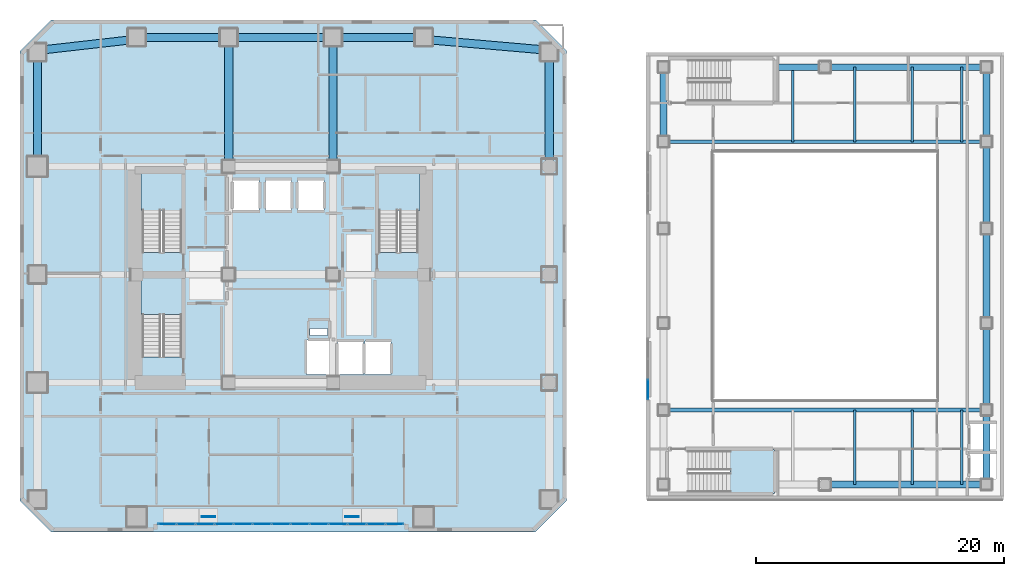
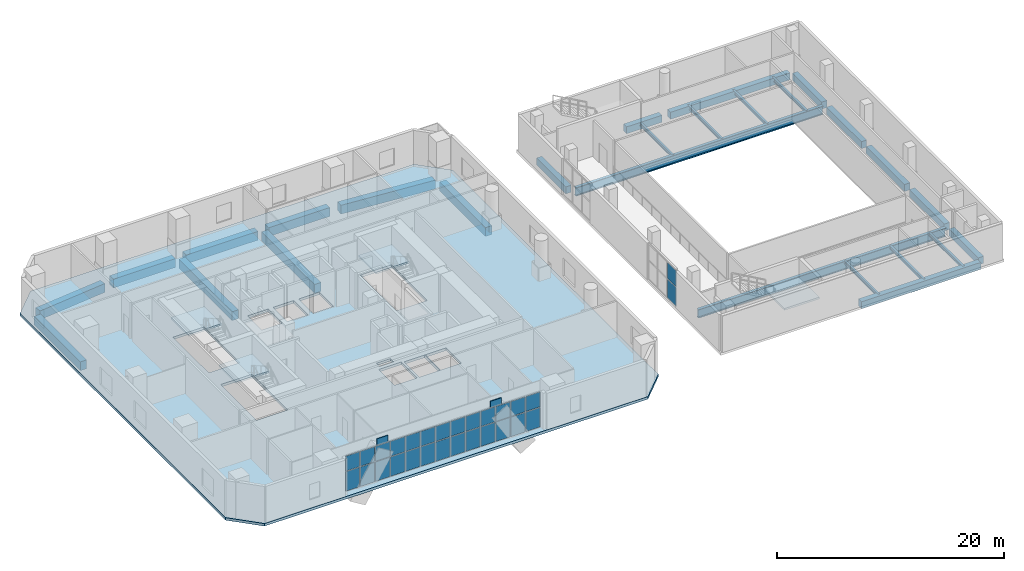
# One storey, part 9 of 20: 30 plates, 27 beams, 5 slabs, 6 elements without a shape of their own.
"""IFC4 building model written with IfcOpenShell, lengths in metres."""

from ifc_helpers import new_model, si_unit, direction, frame, origin, origin_2d, place, context, subcontext, project, spatial, polyline, rectangle, i_section, outline, extrude, material, layer, layer_set, material_profile, profile_set, type_object, element, aggregate, save


model = new_model("IFC4")

# Units and contexts
model_context = context("Model", 3, precision=1e-05, world=origin(), true_north=direction((0.0, 1.0)))
body_context = subcontext(model_context, "Body", "Model", "MODEL_VIEW")
ifc_project = project(units=[si_unit("LENGTHUNIT", "METRE"), si_unit("AREAUNIT", "SQUARE_METRE"), si_unit("VOLUMEUNIT", "CUBIC_METRE"), si_unit("PLANEANGLEUNIT", "RADIAN"), si_unit("MASSUNIT", "GRAM", prefix="KILO")], contexts=[model_context])

# Site, building, storey
site_placement = place(None, origin())
site = spatial("IfcSite", under=ifc_project, at=site_placement, CompositionType="ELEMENT")
building_placement = place(site_placement, origin())
building = spatial("IfcBuilding", under=site, at=building_placement, Name="Solanera Arch Residences", CompositionType="ELEMENT")
storey_placement = place(building_placement, frame((0.0, 0.0, 9.39990234375)))
storey = spatial("IfcBuildingStorey", under=building, at=storey_placement, Name="L02", CompositionType="ELEMENT", Elevation=9.39990234375)

# Beams
ifc_material_1 = material(Name="Concrete C40/50 (f'c = 45 MPa)", Category="concrete")
ifc_material_profile_1 = material_profile(ifc_material_1, rectangle(XDim=0.550048828125, YDim=0.75, at=origin_2d()))
ifc_profile_set_1 = profile_set([ifc_material_profile_1], Name="Concrete C40/50 (f'c = 45 MPa)")
beam_type_1 = type_object("IfcBeamType", Name="Primary Beam RC-BM-550X750", PredefinedType="BEAM", material=ifc_profile_set_1)
beam_1_placement = place(storey_placement, frame((81.800048828125, 14.22509765625, -0.65478515625), z_axis=(0.0, 1.0, 0.0), x_axis=(-1.0, 0.0, 0.0)))
element("IfcBeam", 1, at=beam_1_placement, inside=storey, type_object=beam_type_1, Name="BM-L02-HE-1", PredefinedType="BEAM", context=body_context, shape_type="SweptSolid", body=[
    extrude(rectangle(XDim=0.550048828125, YDim=0.75, at=origin_2d()), origin(), (0.0, 0.0, 1.0), 5.14990234375),
])
beam_2_placement = place(storey_placement, frame((81.800048828125, 20.22509765625, -0.65478515625), z_axis=(0.0, 1.0, 0.0), x_axis=(-1.0, 0.0, 0.0)))
element("IfcBeam", 2, at=beam_2_placement, inside=storey, type_object=beam_type_1, Name="BM-L02-HE-2", PredefinedType="BEAM", context=body_context, shape_type="SweptSolid", body=[
    extrude(rectangle(XDim=0.550048828125, YDim=0.75, at=origin_2d()), origin(), (0.0, 0.0, 1.0), 6.14990234375),
])
beam_3_placement = place(storey_placement, frame((81.800048828125, 27.22509765625, -0.65478515625), z_axis=(0.0, 1.0, 0.0), x_axis=(-1.0, 0.0, 0.0)))
element("IfcBeam", 3, at=beam_3_placement, inside=storey, type_object=beam_type_1, Name="BM-L02-HE-3", PredefinedType="BEAM", context=body_context, shape_type="SweptSolid", body=[
    extrude(rectangle(XDim=0.550048828125, YDim=0.75, at=origin_2d()), origin(), (0.0, 0.0, 1.0), 6.75),
])
beam_4_placement = place(storey_placement, frame((81.800048828125, 34.824951171875, -0.65478515625), z_axis=(0.0, 1.0, 0.0), x_axis=(-1.0, 0.0, 0.0)))
element("IfcBeam", 4, at=beam_4_placement, inside=storey, type_object=beam_type_1, Name="BM-L02-HE-4", PredefinedType="BEAM", context=body_context, shape_type="SweptSolid", body=[
    extrude(rectangle(XDim=0.550048828125, YDim=0.75, at=origin_2d()), origin(), (0.0, 0.0, 1.0), 6.150146484375),
])
for number, where, z_axis, x_axis, name in (
    (5, (55.800048828125, 41.824951171875, -0.65478515625), (0.0, 1.0, 0.0), (-1.0, 0.0, 0.0), "BM-L02-HW-5"),
    (6, (81.800048828125, 41.824951171875, -0.65478515625), (0.0, 1.0, 0.0), (-1.0, 0.0, 0.0), "BM-L02-HE-5"),
):
    element("IfcBeam", number, at=place(storey_placement, frame(where, z_axis=z_axis, x_axis=x_axis)), inside=storey, type_object=beam_type_1, Name=name, PredefinedType="BEAM", context=body_context, shape_type="SweptSolid", body=[
        extrude(rectangle(XDim=0.550048828125, YDim=0.75, at=origin_2d()), origin(), (0.0, 0.0, 1.0), 5.150146484375),
    ])
beam_5_placement = place(storey_placement, frame((69.25, 13.800048828125, -0.65478515625), z_axis=(1.0, 0.0, 0.0), x_axis=(0.0, 1.0, 0.0)))
element("IfcBeam", 7, at=beam_5_placement, inside=storey, type_object=beam_type_1, Name="BM-L02-HS-2", PredefinedType="BEAM", context=body_context, shape_type="SweptSolid", body=[
    extrude(rectangle(XDim=0.550048828125, YDim=0.75, at=origin_2d()), origin(), (0.0, 0.0, 1.0), 12.125),
])
beam_6_placement = place(storey_placement, frame((64.760009765625, 47.39990234375, -0.65478515625), z_axis=(1.0, 0.0, 0.0), x_axis=(0.0, 1.0, 0.0)))
element("IfcBeam", 8, at=beam_6_placement, inside=storey, type_object=beam_type_1, Name="BM-L02-HN-1", PredefinedType="BEAM", context=body_context, shape_type="SweptSolid", body=[
    extrude(rectangle(XDim=0.550048828125, YDim=0.75, at=origin_2d()), origin(), (0.0, 0.0, 1.0), 3.590087890625),
])
beam_7_placement = place(storey_placement, frame((69.25, 47.39990234375, -0.65478515625), z_axis=(1.0, 0.0, 0.0), x_axis=(0.0, 1.0, 0.0)))
element("IfcBeam", 9, at=beam_7_placement, inside=storey, type_object=beam_type_1, Name="BM-L02-HN-2", PredefinedType="BEAM", context=body_context, shape_type="SweptSolid", body=[
    extrude(rectangle(XDim=0.550048828125, YDim=0.75, at=origin_2d()), origin(), (0.0, 0.0, 1.0), 12.125),
])
ifc_material_2 = material(Name="Concrete C40/50 (f'c = 45 MPa)", Category="concrete")
ifc_material_profile_2 = material_profile(ifc_material_2, rectangle(XDim=0.64990234375, YDim=0.949951171875, at=origin_2d()))
ifc_profile_set_2 = profile_set([ifc_material_profile_2], Name="Concrete C40/50 (f'c = 45 MPa)")
beam_type_2 = type_object("IfcBeamType", Name="Primary Beam RC-BM-650X950", PredefinedType="BEAM", material=ifc_profile_set_2)
beam_8_placement = place(storey_placement, frame((5.39990234375, 39.93994140625, -0.7548828125), z_axis=(0.0, 1.0, 0.0), x_axis=(-1.0, 0.0, 0.0)))
element("IfcBeam", 10, at=beam_8_placement, inside=storey, type_object=beam_type_2, Name="BM-L02-POD-W4", PredefinedType="BEAM", context=body_context, shape_type="SweptSolid", body=[
    extrude(rectangle(XDim=0.64990234375, YDim=0.949951171875, at=origin_2d()), origin(), (0.0, 0.0, 1.0), 8.1201171875),
])
beam_9_placement = place(storey_placement, frame((5.8798828125, 48.800048828125, -0.7548828125), z_axis=(0.993604551923, 0.112915873098, 0.0), x_axis=(-0.112915873098, 0.993604551923, 0.0)))
element("IfcBeam", 11, at=beam_9_placement, inside=storey, type_object=beam_type_2, Name="BM-L02-POD-N1", PredefinedType="BEAM", context=body_context, shape_type="SweptSolid", body=[
    extrude(rectangle(XDim=0.64990234375, YDim=0.949951171875, at=origin_2d()), origin(), (0.0, 0.0, 1.0), 7.08544921875),
])
beam_10_placement = place(storey_placement, frame((13.93994140625, 49.800048828125, -0.7548828125), z_axis=(1.0, 0.0, 0.0), x_axis=(0.0, 1.0, 0.0)))
element("IfcBeam", 12, at=beam_10_placement, inside=storey, type_object=beam_type_2, Name="BM-L02-POD-N2", PredefinedType="BEAM", context=body_context, shape_type="SweptSolid", body=[
    extrude(rectangle(XDim=0.64990234375, YDim=0.949951171875, at=origin_2d()), origin(), (0.0, 0.0, 1.0), 6.320068359375),
])
beam_11_placement = place(storey_placement, frame((21.340087890625, 49.800048828125, -0.7548828125), z_axis=(1.0, 0.0, 0.0), x_axis=(0.0, 1.0, 0.0)))
element("IfcBeam", 13, at=beam_11_placement, inside=storey, type_object=beam_type_2, Name="BM-L02-POD-N3", PredefinedType="BEAM", context=body_context, shape_type="SweptSolid", body=[
    extrude(rectangle(XDim=0.64990234375, YDim=0.949951171875, at=origin_2d()), origin(), (0.0, 0.0, 1.0), 7.31982421875),
])
beam_12_placement = place(storey_placement, frame((29.739990234375, 49.800048828125, -0.7548828125), z_axis=(1.0, 0.0, 0.0), x_axis=(0.0, 1.0, 0.0)))
element("IfcBeam", 14, at=beam_12_placement, inside=storey, type_object=beam_type_2, Name="BM-L02-POD-N4", PredefinedType="BEAM", context=body_context, shape_type="SweptSolid", body=[
    extrude(rectangle(XDim=0.64990234375, YDim=0.949951171875, at=origin_2d()), origin(), (0.0, 0.0, 1.0), 6.219970703125),
])
beam_13_placement = place(storey_placement, frame((36.97998046875, 49.60009765625, -0.7548828125), z_axis=(0.996191002053, -0.087197978357, 0.0), x_axis=(0.087197978357, 0.996191002053, 0.0)))
element("IfcBeam", 15, at=beam_13_placement, inside=storey, type_object=beam_type_2, Name="BM-L02-POD-N5", PredefinedType="BEAM", context=body_context, shape_type="SweptSolid", body=[
    extrude(rectangle(XDim=0.64990234375, YDim=0.949951171875, at=origin_2d()), origin(), (0.0, 0.0, 1.0), 9.175048828125),
])
beam_14_placement = place(storey_placement, frame((46.60009765625, 39.93994140625, -0.7548828125), z_axis=(0.0, 1.0, 0.0), x_axis=(-1.0, 0.0, 0.0)))
element("IfcBeam", 16, at=beam_14_placement, inside=storey, type_object=beam_type_2, Name="BM-L02-POD-E4", PredefinedType="BEAM", context=body_context, shape_type="SweptSolid", body=[
    extrude(rectangle(XDim=0.64990234375, YDim=0.949951171875, at=origin_2d()), origin(), (0.0, 0.0, 1.0), 8.1201171875),
])
for number, where, z_axis, x_axis, name in (
    (17, (20.800048828125, 39.904052734375, -0.7548828125), (0.0, 1.0, 0.0), (-1.0, 0.0, 0.0), "BM-L02-POD-RN-20"),
    (18, (29.199951171875, 39.904052734375, -0.7548828125), (0.0, 1.0, 0.0), (-1.0, 0.0, 0.0), "BM-L02-POD-RN-29"),
):
    element("IfcBeam", number, at=place(storey_placement, frame(where, z_axis=z_axis, x_axis=x_axis)), inside=storey, type_object=beam_type_2, Name=name, PredefinedType="BEAM", context=body_context, shape_type="SweptSolid", body=[
        extrude(rectangle(XDim=0.64990234375, YDim=0.949951171875, at=origin_2d()), origin(), (0.0, 0.0, 1.0), 9.35595703125),
    ])
ifc_material_3 = material(Name="Steel S355 (ASTM A992 / A572 Grade 50)", Category="steel")
ifc_material_profile_3 = material_profile(ifc_material_3, i_section(OverallWidth=0.306884765625, OverallDepth=0.912109375, WebThickness=0.01953125, FlangeThickness=0.031982421875, at=origin_2d()))
ifc_profile_set_3 = profile_set([ifc_material_profile_3], Name="Steel S355 (ASTM A992 / A572 Grade 50)")
beam_type_3 = type_object("IfcBeamType", Name="Primary Beam W920X342", PredefinedType="BEAM", material=ifc_profile_set_3)
for number, where, z_axis, x_axis, name in (
    (19, (56.22509765625, 19.800048828125, -0.73583984375), (1.0, 0.0, 0.0), (0.0, 1.0, 0.0), "BM-L02-HCS"),
    (20, (56.22509765625, 41.39990234375, -0.73583984375), (1.0, 0.0, 0.0), (0.0, 1.0, 0.0), "BM-L02-HCN"),
):
    element("IfcBeam", number, at=place(storey_placement, frame(where, z_axis=z_axis, x_axis=x_axis)), inside=storey, type_object=beam_type_3, Name=name, PredefinedType="BEAM", context=body_context, shape_type="SweptSolid", body=[
        extrude(i_section(OverallWidth=0.306884765625, OverallDepth=0.912109375, WebThickness=0.01953125, FlangeThickness=0.031982421875, at=origin_2d()), origin(), (0.0, 0.0, 1.0), 25.14990234375),
    ])
ifc_material_4 = material(Name="Steel S355 (ASTM A992 / A572 Grade 50)", Category="steel")
ifc_material_profile_4 = material_profile(ifc_material_4, i_section(OverallWidth=0.205078125, OverallDepth=0.35400390625, WebThickness=0.009521484375, FlangeThickness=0.016845703125, at=origin_2d()))
ifc_profile_set_4 = profile_set([ifc_material_profile_4], Name="Steel S355 (ASTM A992 / A572 Grade 50)")
beam_type_4 = type_object("IfcBeamType", Name="Secondary Joist W360X79", PredefinedType="JOIST", material=ifc_profile_set_4)
for number, where, z_axis, x_axis, name in (
    (21, (66.199951171875, 41.39990234375, -0.456787109375), (0.0, 1.0, 0.0), (-1.0, 0.0, 0.0), "BM-L02-HJN-66"),
    (22, (71.199951171875, 13.800048828125, -0.456787109375), (0.0, 1.0, 0.0), (-1.0, 0.0, 0.0), "BM-L02-HJS-71"),
    (23, (71.199951171875, 41.39990234375, -0.456787109375), (0.0, 1.0, 0.0), (-1.0, 0.0, 0.0), "BM-L02-HJN-71"),
    (24, (75.800048828125, 13.800048828125, -0.456787109375), (0.0, 1.0, 0.0), (-1.0, 0.0, 0.0), "BM-L02-HJS-75"),
    (25, (75.800048828125, 41.39990234375, -0.456787109375), (0.0, 1.0, 0.0), (-1.0, 0.0, 0.0), "BM-L02-HJN-75"),
    (26, (79.800048828125, 13.800048828125, -0.456787109375), (0.0, 1.0, 0.0), (-1.0, 0.0, 0.0), "BM-L02-HJS-79"),
    (27, (79.800048828125, 41.39990234375, -0.456787109375), (0.0, 1.0, 0.0), (-1.0, 0.0, 0.0), "BM-L02-HJN-79"),
):
    element("IfcBeam", number, at=place(storey_placement, frame(where, z_axis=z_axis, x_axis=x_axis)), inside=storey, type_object=beam_type_4, Name=name, PredefinedType="JOIST", context=body_context, shape_type="SweptSolid", body=[
        extrude(i_section(OverallWidth=0.205078125, OverallDepth=0.35400390625, WebThickness=0.009521484375, FlangeThickness=0.016845703125, at=origin_2d()), origin(), (0.0, 0.0, 1.0), 6.0),
    ])

# Plates
ifc_material_5 = material(Name="Steel S355 (ASTM A992 / A572 Grade 50)", Category="steel")
ifc_layer_1 = layer(ifc_material_5, 0.080078125)
ifc_layer_set_1 = layer_set([ifc_layer_1], Name="Steel S355 (ASTM A992 / A572 Grade 50)")
plate_type_1 = type_object("IfcPlateType", Name="Gusset Plate GP-80", PredefinedType="USERDEFINED", material=ifc_layer_set_1)
for number, where, z_axis, x_axis, name in (
    (28, (19.175048828125, 11.199951171875, 2.250244140625), (0.0, 0.0, 1.0), (1.0, 0.0, 0.0), "Monumental Arch Node Gusset 2"),
    (29, (30.72509765625, 11.199951171875, 2.250244140625), (0.0, 0.0, 1.0), (1.0, 0.0, 0.0), "Monumental Arch Node Gusset 6"),
):
    element("IfcPlate", number, at=place(storey_placement, frame(where, z_axis=z_axis, x_axis=x_axis)), inside=storey, type_object=plate_type_1, Name=name, ObjectType="GUSSET", PredefinedType="USERDEFINED", context=body_context, shape_type="SweptSolid", body=[
        extrude(rectangle(XDim=1.10009765625, YDim=0.080078125, at=origin_2d()), origin(), (0.0, 0.0, 1.0), 1.89990234375),
    ])

# Stair, slab
ifc_material_6 = material(Name="Concrete C40/50 (f'c = 45 MPa)", Category="concrete")
stair_type_1 = type_object("IfcStairType", Name="Tower Dogleg Exit Stair 1480", PredefinedType="HALF_TURN_STAIR", material=ifc_material_6)
stair_1_placement = place(storey_placement, origin())
stair_1 = element("IfcStair", 30, at=stair_1_placement, inside=storey, type_object=stair_type_1, Name="L02 Tower Core Exit Stair 1", PredefinedType="HALF_TURN_STAIR")
ifc_material_7 = material(Name="Concrete C40/50 (f'c = 45 MPa)", Category="concrete")
ifc_layer_2 = layer(ifc_material_7, 0.199951171875)
ifc_layer_set_2 = layer_set([ifc_layer_2], Name="Concrete C40/50 (f'c = 45 MPa)")
slab_type_1 = type_object("IfcSlabType", Name="Stair Half-Landing Slab 200", PredefinedType="LANDING", material=ifc_layer_set_2)
slab_1_placement = place(storey_placement, frame((0.0, 0.0, 1.900146484375)))
slab_1 = element("IfcSlab", 31, at=slab_1_placement, type_object=slab_type_1, Name="ST-T1 landing 1", PredefinedType="LANDING", context=body_context, shape_type="SweptSolid", body=[
    extrude(outline(polyline([(17.1201171875, 35.8798828125), (17.1201171875, 38.919921875), (13.719970703125, 38.919921875), (13.719970703125, 35.8798828125), (17.1201171875, 35.8798828125)])), origin(), (0.0, 0.0, 1.0), 0.199951171875),
])
aggregate(stair_1, [slab_1])

stair_2_placement = place(storey_placement, origin())
stair_2 = element("IfcStair", 32, at=stair_2_placement, inside=storey, type_object=stair_type_1, Name="L02 Tower Core Exit Stair 2", PredefinedType="HALF_TURN_STAIR")
slab_2_placement = place(storey_placement, frame((0.0, 0.0, 1.900146484375)))
slab_2 = element("IfcSlab", 33, at=slab_2_placement, type_object=slab_type_1, Name="ST-T2 landing 1", PredefinedType="LANDING", context=body_context, shape_type="SweptSolid", body=[
    extrude(outline(polyline([(36.179931640625, 35.8798828125), (36.179931640625, 38.919921875), (32.780029296875, 38.919921875), (32.780029296875, 35.8798828125), (36.179931640625, 35.8798828125)])), origin(), (0.0, 0.0, 1.0), 0.199951171875),
])
aggregate(stair_2, [slab_2])

stair_3_placement = place(storey_placement, origin())
stair_3 = element("IfcStair", 34, at=stair_3_placement, inside=storey, type_object=stair_type_1, Name="L02 Tower Core Exit Stair 3", PredefinedType="HALF_TURN_STAIR")
slab_3_placement = place(storey_placement, frame((0.0, 0.0, 1.900146484375)))
slab_3 = element("IfcSlab", 35, at=slab_3_placement, type_object=slab_type_1, Name="ST-T3 landing 1", PredefinedType="LANDING", context=body_context, shape_type="SweptSolid", body=[
    extrude(outline(polyline([(17.1201171875, 27.47998046875), (17.1201171875, 30.52001953125), (13.719970703125, 30.52001953125), (13.719970703125, 27.47998046875), (17.1201171875, 27.47998046875)])), origin(), (0.0, 0.0, 1.0), 0.199951171875),
])
aggregate(stair_3, [slab_3])

ifc_material_8 = material(Name="Concrete C40/50 (f'c = 45 MPa)", Category="concrete")
stair_type_2 = type_object("IfcStairType", Name="Arena Dogleg Exit Stair 1560", PredefinedType="HALF_TURN_STAIR", material=ifc_material_8)
stair_4_placement = place(storey_placement, origin())
stair_4 = element("IfcStair", 36, at=stair_4_placement, inside=storey, type_object=stair_type_2, Name="L02 Sports Hall South Exit Stair", PredefinedType="HALF_TURN_STAIR")
slab_4_placement = place(storey_placement, frame((0.0, 0.0, 1.900146484375)))
slab_4 = element("IfcSlab", 37, at=slab_4_placement, type_object=slab_type_1, Name="ST-H1 landing 1", PredefinedType="LANDING", context=body_context, shape_type="SweptSolid", body=[
    extrude(outline(polyline([(61.159912109375, 13.080078125), (64.719970703125, 13.080078125), (64.719970703125, 16.639892578125), (61.159912109375, 16.639892578125), (61.159912109375, 13.080078125)])), origin(), (0.0, 0.0, 1.0), 0.199951171875),
])
aggregate(stair_4, [slab_4])

# Slab
ifc_material_9 = material(Name="Concrete C40/50 (f'c = 45 MPa)", Category="concrete")
ifc_layer_3 = layer(ifc_material_9, 0.280029296875)
ifc_layer_set_3 = layer_set([ifc_layer_3], Name="Concrete C40/50 (f'c = 45 MPa)")
slab_type_2 = type_object("IfcSlabType", Name="Suspended Floor Slab Post-Tensioned 280", PredefinedType="FLOOR", material=ifc_layer_set_3)
slab_5_placement = place(storey_placement, frame((0.0, 0.0, -0.27978515625)))
element("IfcSlab", 38, at=slab_5_placement, inside=storey, type_object=slab_type_2, Name="L02 Tower Podium Structural Slab", PredefinedType="FLOOR", context=body_context, shape_type="SweptSolid", body=[
    extrude(outline(polyline([(6.5, 10.0), (45.5, 10.0), (48.0, 12.5), (48.0, 48.699951171875), (45.5, 51.199951171875), (6.5, 51.199951171875), (4.0, 48.699951171875), (4.0, 12.5), (6.5, 10.0)]), holes=[polyline([(13.840087890625, 32.48291015625), (13.840087890625, 38.800048828125), (17.0, 38.800048828125), (17.0, 32.48291015625), (13.840087890625, 32.48291015625)]), polyline([(32.89990234375, 32.48291015625), (32.89990234375, 38.800048828125), (36.06005859375, 38.800048828125), (36.06005859375, 32.48291015625), (32.89990234375, 32.48291015625)]), polyline([(13.840087890625, 24.0830078125), (13.840087890625, 30.39990234375), (17.0, 30.39990234375), (17.0, 24.0830078125), (13.840087890625, 24.0830078125)]), polyline([(21.14990234375, 38.35009765625), (23.25, 38.35009765625), (23.25, 35.85009765625), (21.14990234375, 35.85009765625), (21.14990234375, 38.35009765625)]), polyline([(23.75, 38.35009765625), (25.85009765625, 38.35009765625), (25.85009765625, 35.85009765625), (23.75, 35.85009765625), (23.75, 38.35009765625)]), polyline([(26.35009765625, 38.35009765625), (28.449951171875, 38.35009765625), (28.449951171875, 35.85009765625), (26.35009765625, 35.85009765625), (26.35009765625, 38.35009765625)]), polyline([(29.550048828125, 25.35009765625), (31.64990234375, 25.35009765625), (31.64990234375, 22.64990234375), (29.550048828125, 22.64990234375), (29.550048828125, 25.35009765625)]), polyline([(31.75, 25.35009765625), (33.85009765625, 25.35009765625), (33.85009765625, 22.64990234375), (31.75, 22.64990234375), (31.75, 25.35009765625)]), polyline([(27.050048828125, 25.449951171875), (29.35009765625, 25.449951171875), (29.35009765625, 22.64990234375), (27.050048828125, 22.64990234375), (27.050048828125, 25.449951171875)]), polyline([(27.340087890625, 26.3798828125), (28.760009765625, 26.3798828125), (28.760009765625, 25.820068359375), (27.340087890625, 25.820068359375), (27.340087890625, 26.3798828125)])]), origin(), (0.0, 0.0, 1.0), 0.27978515625),
])

# Curtain wall, plates
ifc_material_10 = material(Name="Anodised Aluminium Alloy 6063-T6", Category="aluminium")
ifc_layer_4 = layer(ifc_material_10, 0.179931640625)
ifc_layer_set_4 = layer_set([ifc_layer_4], Name="Anodised Aluminium Alloy 6063-T6")
curtain_wall_type_1 = type_object("IfcCurtainWallType", Name="CW-1 Arch Portal Unitised Glazing", PredefinedType="USERDEFINED", material=ifc_layer_set_4)
curtain_wall_1_placement = place(storey_placement, origin())
curtain_wall_1 = element("IfcCurtainWall", 39, at=curtain_wall_1_placement, inside=storey, type_object=curtain_wall_type_1, Name="L02 Arch Portal Unitised Curtain Wall", ObjectType="CURTAIN_WALL", PredefinedType="USERDEFINED")
ifc_material_11 = material(Name="Double Glazed Low-E Laminated Glass", Category="glass")
ifc_layer_5 = layer(ifc_material_11, 0.028076171875)
ifc_layer_set_5 = layer_set([ifc_layer_5], Name="Double Glazed Low-E Laminated Glass")
plate_type_2 = type_object("IfcPlateType", Name="Vision Glazing Panel GL-28", PredefinedType="CURTAIN_PANEL", material=ifc_layer_set_5)
plate_1_placement = place(storey_placement, frame((34.1552734375, 10.6298828125, 0.080078125), z_axis=(0.0, 0.0, 1.0), x_axis=(-1.0, 0.0, 0.0)))
plate_1 = element("IfcPlate", 40, at=plate_1_placement, type_object=plate_type_2, Name="CW-1 panel 1.1", PredefinedType="CURTAIN_PANEL", context=body_context, shape_type="SweptSolid", body=[
    extrude(rectangle(XDim=1.4091796875, YDim=0.028076171875, at=origin_2d()), origin(), (0.0, 0.0, 1.0), 2.080078125),
])
plate_2_placement = place(storey_placement, frame((34.1552734375, 10.6298828125, 2.239990234375), z_axis=(0.0, 0.0, 1.0), x_axis=(-1.0, 0.0, 0.0)))
plate_2 = element("IfcPlate", 41, at=plate_2_placement, type_object=plate_type_2, Name="CW-1 panel 1.2", PredefinedType="CURTAIN_PANEL", context=body_context, shape_type="SweptSolid", body=[
    extrude(rectangle(XDim=1.4091796875, YDim=0.028076171875, at=origin_2d()), origin(), (0.0, 0.0, 1.0), 1.60009765625),
])
plate_3_placement = place(storey_placement, frame((32.646240234375, 10.6298828125, 0.080078125), z_axis=(0.0, 0.0, 1.0), x_axis=(-1.0, 0.0, 0.0)))
plate_3 = element("IfcPlate", 42, at=plate_3_placement, type_object=plate_type_2, Name="CW-1 panel 2.1", PredefinedType="CURTAIN_PANEL", context=body_context, shape_type="SweptSolid", body=[
    extrude(rectangle(XDim=1.44921875, YDim=0.028076171875, at=origin_2d()), origin(), (0.0, 0.0, 1.0), 2.080078125),
])
plate_4_placement = place(storey_placement, frame((32.646240234375, 10.6298828125, 2.239990234375), z_axis=(0.0, 0.0, 1.0), x_axis=(-1.0, 0.0, 0.0)))
plate_4 = element("IfcPlate", 43, at=plate_4_placement, type_object=plate_type_2, Name="CW-1 panel 2.2", PredefinedType="CURTAIN_PANEL", context=body_context, shape_type="SweptSolid", body=[
    extrude(rectangle(XDim=1.44921875, YDim=0.028076171875, at=origin_2d()), origin(), (0.0, 0.0, 1.0), 1.60009765625),
])
plate_5_placement = place(storey_placement, frame((31.116943359375, 10.6298828125, 0.080078125), z_axis=(0.0, 0.0, 1.0), x_axis=(-1.0, 0.0, 0.0)))
plate_5 = element("IfcPlate", 44, at=plate_5_placement, type_object=plate_type_2, Name="CW-1 panel 3.1", PredefinedType="CURTAIN_PANEL", context=body_context, shape_type="SweptSolid", body=[
    extrude(rectangle(XDim=1.44921875, YDim=0.028076171875, at=origin_2d()), origin(), (0.0, 0.0, 1.0), 2.080078125),
])
plate_6_placement = place(storey_placement, frame((31.116943359375, 10.6298828125, 2.239990234375), z_axis=(0.0, 0.0, 1.0), x_axis=(-1.0, 0.0, 0.0)))
plate_6 = element("IfcPlate", 45, at=plate_6_placement, type_object=plate_type_2, Name="CW-1 panel 3.2", PredefinedType="CURTAIN_PANEL", context=body_context, shape_type="SweptSolid", body=[
    extrude(rectangle(XDim=1.44921875, YDim=0.028076171875, at=origin_2d()), origin(), (0.0, 0.0, 1.0), 1.60009765625),
])
plate_7_placement = place(storey_placement, frame((29.587646484375, 10.6298828125, 0.080078125), z_axis=(0.0, 0.0, 1.0), x_axis=(-1.0, 0.0, 0.0)))
plate_7 = element("IfcPlate", 46, at=plate_7_placement, type_object=plate_type_2, Name="CW-1 panel 4.1", PredefinedType="CURTAIN_PANEL", context=body_context, shape_type="SweptSolid", body=[
    extrude(rectangle(XDim=1.44921875, YDim=0.028076171875, at=origin_2d()), origin(), (0.0, 0.0, 1.0), 2.080078125),
])
plate_8_placement = place(storey_placement, frame((29.587646484375, 10.6298828125, 2.239990234375), z_axis=(0.0, 0.0, 1.0), x_axis=(-1.0, 0.0, 0.0)))
plate_8 = element("IfcPlate", 47, at=plate_8_placement, type_object=plate_type_2, Name="CW-1 panel 4.2", PredefinedType="CURTAIN_PANEL", context=body_context, shape_type="SweptSolid", body=[
    extrude(rectangle(XDim=1.44921875, YDim=0.028076171875, at=origin_2d()), origin(), (0.0, 0.0, 1.0), 1.60009765625),
])
plate_9_placement = place(storey_placement, frame((28.058349609375, 10.6298828125, 0.080078125), z_axis=(0.0, 0.0, 1.0), x_axis=(-1.0, 0.0, 0.0)))
plate_9 = element("IfcPlate", 48, at=plate_9_placement, type_object=plate_type_2, Name="CW-1 panel 5.1", PredefinedType="CURTAIN_PANEL", context=body_context, shape_type="SweptSolid", body=[
    extrude(rectangle(XDim=1.44921875, YDim=0.028076171875, at=origin_2d()), origin(), (0.0, 0.0, 1.0), 2.080078125),
])
plate_10_placement = place(storey_placement, frame((28.058349609375, 10.6298828125, 2.239990234375), z_axis=(0.0, 0.0, 1.0), x_axis=(-1.0, 0.0, 0.0)))
plate_10 = element("IfcPlate", 49, at=plate_10_placement, type_object=plate_type_2, Name="CW-1 panel 5.2", PredefinedType="CURTAIN_PANEL", context=body_context, shape_type="SweptSolid", body=[
    extrude(rectangle(XDim=1.44921875, YDim=0.028076171875, at=origin_2d()), origin(), (0.0, 0.0, 1.0), 1.60009765625),
])
plate_11_placement = place(storey_placement, frame((26.529296875, 10.6298828125, 0.080078125), z_axis=(0.0, 0.0, 1.0), x_axis=(-1.0, 0.0, 0.0)))
plate_11 = element("IfcPlate", 50, at=plate_11_placement, type_object=plate_type_2, Name="CW-1 panel 6.1", PredefinedType="CURTAIN_PANEL", context=body_context, shape_type="SweptSolid", body=[
    extrude(rectangle(XDim=1.44921875, YDim=0.028076171875, at=origin_2d()), origin(), (0.0, 0.0, 1.0), 2.080078125),
])
plate_12_placement = place(storey_placement, frame((26.529296875, 10.6298828125, 2.239990234375), z_axis=(0.0, 0.0, 1.0), x_axis=(-1.0, 0.0, 0.0)))
plate_12 = element("IfcPlate", 51, at=plate_12_placement, type_object=plate_type_2, Name="CW-1 panel 6.2", PredefinedType="CURTAIN_PANEL", context=body_context, shape_type="SweptSolid", body=[
    extrude(rectangle(XDim=1.44921875, YDim=0.028076171875, at=origin_2d()), origin(), (0.0, 0.0, 1.0), 1.60009765625),
])
plate_13_placement = place(storey_placement, frame((25.0, 10.6298828125, 0.080078125), z_axis=(0.0, 0.0, 1.0), x_axis=(-1.0, 0.0, 0.0)))
plate_13 = element("IfcPlate", 52, at=plate_13_placement, type_object=plate_type_2, Name="CW-1 panel 7.1", PredefinedType="CURTAIN_PANEL", context=body_context, shape_type="SweptSolid", body=[
    extrude(rectangle(XDim=1.44921875, YDim=0.028076171875, at=origin_2d()), origin(), (0.0, 0.0, 1.0), 2.080078125),
])
plate_14_placement = place(storey_placement, frame((25.0, 10.6298828125, 2.239990234375), z_axis=(0.0, 0.0, 1.0), x_axis=(-1.0, 0.0, 0.0)))
plate_14 = element("IfcPlate", 53, at=plate_14_placement, type_object=plate_type_2, Name="CW-1 panel 7.2", PredefinedType="CURTAIN_PANEL", context=body_context, shape_type="SweptSolid", body=[
    extrude(rectangle(XDim=1.44921875, YDim=0.028076171875, at=origin_2d()), origin(), (0.0, 0.0, 1.0), 1.60009765625),
])
plate_15_placement = place(storey_placement, frame((23.470703125, 10.6298828125, 0.080078125), z_axis=(0.0, 0.0, 1.0), x_axis=(-1.0, 0.0, 0.0)))
plate_15 = element("IfcPlate", 54, at=plate_15_placement, type_object=plate_type_2, Name="CW-1 panel 8.1", PredefinedType="CURTAIN_PANEL", context=body_context, shape_type="SweptSolid", body=[
    extrude(rectangle(XDim=1.44921875, YDim=0.028076171875, at=origin_2d()), origin(), (0.0, 0.0, 1.0), 2.080078125),
])
plate_16_placement = place(storey_placement, frame((23.470703125, 10.6298828125, 2.239990234375), z_axis=(0.0, 0.0, 1.0), x_axis=(-1.0, 0.0, 0.0)))
plate_16 = element("IfcPlate", 55, at=plate_16_placement, type_object=plate_type_2, Name="CW-1 panel 8.2", PredefinedType="CURTAIN_PANEL", context=body_context, shape_type="SweptSolid", body=[
    extrude(rectangle(XDim=1.44921875, YDim=0.028076171875, at=origin_2d()), origin(), (0.0, 0.0, 1.0), 1.60009765625),
])
plate_17_placement = place(storey_placement, frame((21.941650390625, 10.6298828125, 0.080078125), z_axis=(0.0, 0.0, 1.0), x_axis=(-1.0, 0.0, 0.0)))
plate_17 = element("IfcPlate", 56, at=plate_17_placement, type_object=plate_type_2, Name="CW-1 panel 9.1", PredefinedType="CURTAIN_PANEL", context=body_context, shape_type="SweptSolid", body=[
    extrude(rectangle(XDim=1.44921875, YDim=0.028076171875, at=origin_2d()), origin(), (0.0, 0.0, 1.0), 2.080078125),
])
plate_18_placement = place(storey_placement, frame((21.941650390625, 10.6298828125, 2.239990234375), z_axis=(0.0, 0.0, 1.0), x_axis=(-1.0, 0.0, 0.0)))
plate_18 = element("IfcPlate", 57, at=plate_18_placement, type_object=plate_type_2, Name="CW-1 panel 9.2", PredefinedType="CURTAIN_PANEL", context=body_context, shape_type="SweptSolid", body=[
    extrude(rectangle(XDim=1.44921875, YDim=0.028076171875, at=origin_2d()), origin(), (0.0, 0.0, 1.0), 1.60009765625),
])
plate_19_placement = place(storey_placement, frame((20.412353515625, 10.6298828125, 0.080078125), z_axis=(0.0, 0.0, 1.0), x_axis=(-1.0, 0.0, 0.0)))
plate_19 = element("IfcPlate", 58, at=plate_19_placement, type_object=plate_type_2, Name="CW-1 panel 10.1", PredefinedType="CURTAIN_PANEL", context=body_context, shape_type="SweptSolid", body=[
    extrude(rectangle(XDim=1.44921875, YDim=0.028076171875, at=origin_2d()), origin(), (0.0, 0.0, 1.0), 2.080078125),
])
plate_20_placement = place(storey_placement, frame((20.412353515625, 10.6298828125, 2.239990234375), z_axis=(0.0, 0.0, 1.0), x_axis=(-1.0, 0.0, 0.0)))
plate_20 = element("IfcPlate", 59, at=plate_20_placement, type_object=plate_type_2, Name="CW-1 panel 10.2", PredefinedType="CURTAIN_PANEL", context=body_context, shape_type="SweptSolid", body=[
    extrude(rectangle(XDim=1.44921875, YDim=0.028076171875, at=origin_2d()), origin(), (0.0, 0.0, 1.0), 1.60009765625),
])
plate_21_placement = place(storey_placement, frame((18.883056640625, 10.6298828125, 0.080078125), z_axis=(0.0, 0.0, 1.0), x_axis=(-1.0, 0.0, 0.0)))
plate_21 = element("IfcPlate", 60, at=plate_21_placement, type_object=plate_type_2, Name="CW-1 panel 11.1", PredefinedType="CURTAIN_PANEL", context=body_context, shape_type="SweptSolid", body=[
    extrude(rectangle(XDim=1.44921875, YDim=0.028076171875, at=origin_2d()), origin(), (0.0, 0.0, 1.0), 2.080078125),
])
plate_22_placement = place(storey_placement, frame((18.883056640625, 10.6298828125, 2.239990234375), z_axis=(0.0, 0.0, 1.0), x_axis=(-1.0, 0.0, 0.0)))
plate_22 = element("IfcPlate", 61, at=plate_22_placement, type_object=plate_type_2, Name="CW-1 panel 11.2", PredefinedType="CURTAIN_PANEL", context=body_context, shape_type="SweptSolid", body=[
    extrude(rectangle(XDim=1.44921875, YDim=0.028076171875, at=origin_2d()), origin(), (0.0, 0.0, 1.0), 1.60009765625),
])
plate_23_placement = place(storey_placement, frame((17.353759765625, 10.6298828125, 0.080078125), z_axis=(0.0, 0.0, 1.0), x_axis=(-1.0, 0.0, 0.0)))
plate_23 = element("IfcPlate", 62, at=plate_23_placement, type_object=plate_type_2, Name="CW-1 panel 12.1", PredefinedType="CURTAIN_PANEL", context=body_context, shape_type="SweptSolid", body=[
    extrude(rectangle(XDim=1.44921875, YDim=0.028076171875, at=origin_2d()), origin(), (0.0, 0.0, 1.0), 2.080078125),
])
plate_24_placement = place(storey_placement, frame((17.353759765625, 10.6298828125, 2.239990234375), z_axis=(0.0, 0.0, 1.0), x_axis=(-1.0, 0.0, 0.0)))
plate_24 = element("IfcPlate", 63, at=plate_24_placement, type_object=plate_type_2, Name="CW-1 panel 12.2", PredefinedType="CURTAIN_PANEL", context=body_context, shape_type="SweptSolid", body=[
    extrude(rectangle(XDim=1.44921875, YDim=0.028076171875, at=origin_2d()), origin(), (0.0, 0.0, 1.0), 1.60009765625),
])
plate_25_placement = place(storey_placement, frame((15.8447265625, 10.6298828125, 0.080078125), z_axis=(0.0, 0.0, 1.0), x_axis=(-1.0, 0.0, 0.0)))
plate_25 = element("IfcPlate", 64, at=plate_25_placement, type_object=plate_type_2, Name="CW-1 panel 13.1", PredefinedType="CURTAIN_PANEL", context=body_context, shape_type="SweptSolid", body=[
    extrude(rectangle(XDim=1.4091796875, YDim=0.028076171875, at=origin_2d()), origin(), (0.0, 0.0, 1.0), 2.080078125),
])
plate_26_placement = place(storey_placement, frame((15.8447265625, 10.6298828125, 2.239990234375), z_axis=(0.0, 0.0, 1.0), x_axis=(-1.0, 0.0, 0.0)))
plate_26 = element("IfcPlate", 65, at=plate_26_placement, type_object=plate_type_2, Name="CW-1 panel 13.2", PredefinedType="CURTAIN_PANEL", context=body_context, shape_type="SweptSolid", body=[
    extrude(rectangle(XDim=1.4091796875, YDim=0.028076171875, at=origin_2d()), origin(), (0.0, 0.0, 1.0), 1.60009765625),
])
aggregate(curtain_wall_1, [plate_1, plate_2, plate_3, plate_4, plate_5, plate_6, plate_7, plate_8, plate_9, plate_10, plate_11, plate_12, plate_13, plate_14, plate_15, plate_16, plate_17, plate_18, plate_19, plate_20, plate_21, plate_22, plate_23, plate_24, plate_25, plate_26])

ifc_material_12 = material(Name="Anodised Aluminium Alloy 6063-T6", Category="aluminium")
ifc_layer_6 = layer(ifc_material_12, 0.159912109375)
ifc_layer_set_6 = layer_set([ifc_layer_6], Name="Anodised Aluminium Alloy 6063-T6")
curtain_wall_type_2 = type_object("IfcCurtainWallType", Name="CW-3 Sports Hall Foyer Curtain Wall", PredefinedType="USERDEFINED", material=ifc_layer_set_6)
curtain_wall_2_placement = place(storey_placement, origin())
curtain_wall_2 = element("IfcCurtainWall", 66, at=curtain_wall_2_placement, inside=storey, type_object=curtain_wall_type_2, Name="L02 Sports Hall Foyer Curtain Wall 1", ObjectType="CURTAIN_WALL", PredefinedType="USERDEFINED")
plate_27_placement = place(storey_placement, frame((54.550048828125, 21.450927734375, 0.070068359375), z_axis=(0.0, 0.0, 1.0), x_axis=(0.0, 1.0, 0.0)))
plate_27 = element("IfcPlate", 67, at=plate_27_placement, type_object=plate_type_2, Name="CW-3 panel 1.1", PredefinedType="CURTAIN_PANEL", context=body_context, shape_type="SweptSolid", body=[
    extrude(rectangle(XDim=1.561767578125, YDim=0.028076171875, at=origin_2d()), origin(), (0.0, 0.0, 1.0), 1.9951171875),
])
plate_28_placement = place(storey_placement, frame((54.550048828125, 21.450927734375, 2.13525390625), z_axis=(0.0, 0.0, 1.0), x_axis=(0.0, 1.0, 0.0)))
plate_28 = element("IfcPlate", 68, at=plate_28_placement, type_object=plate_type_2, Name="CW-3 panel 1.2", PredefinedType="CURTAIN_PANEL", context=body_context, shape_type="SweptSolid", body=[
    extrude(rectangle(XDim=1.561767578125, YDim=0.028076171875, at=origin_2d()), origin(), (0.0, 0.0, 1.0), 1.715087890625),
])
aggregate(curtain_wall_2, [plate_27, plate_28])

save(model, "model.ifc")
